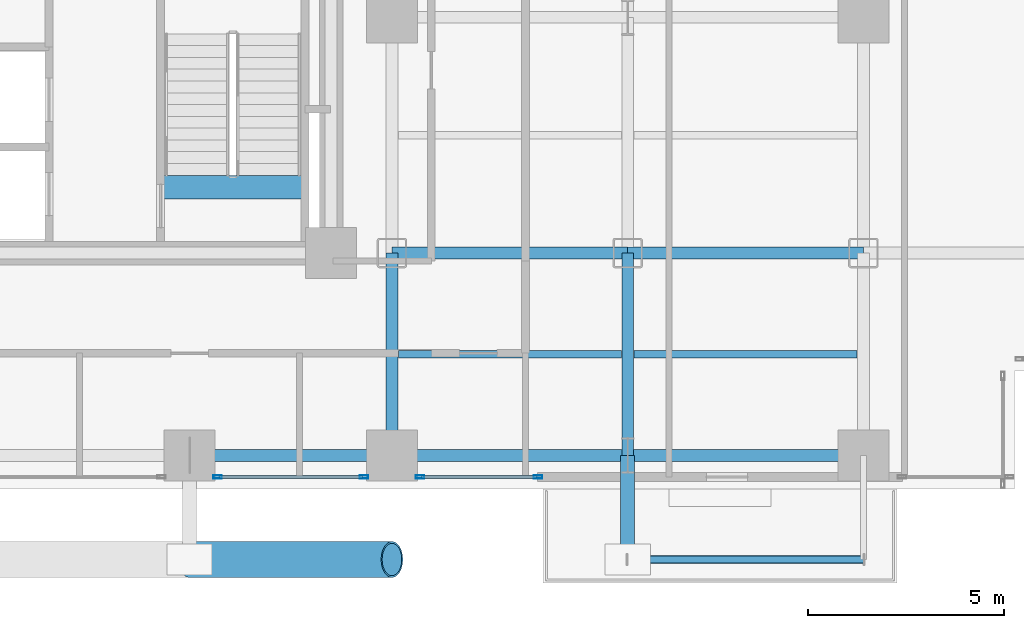
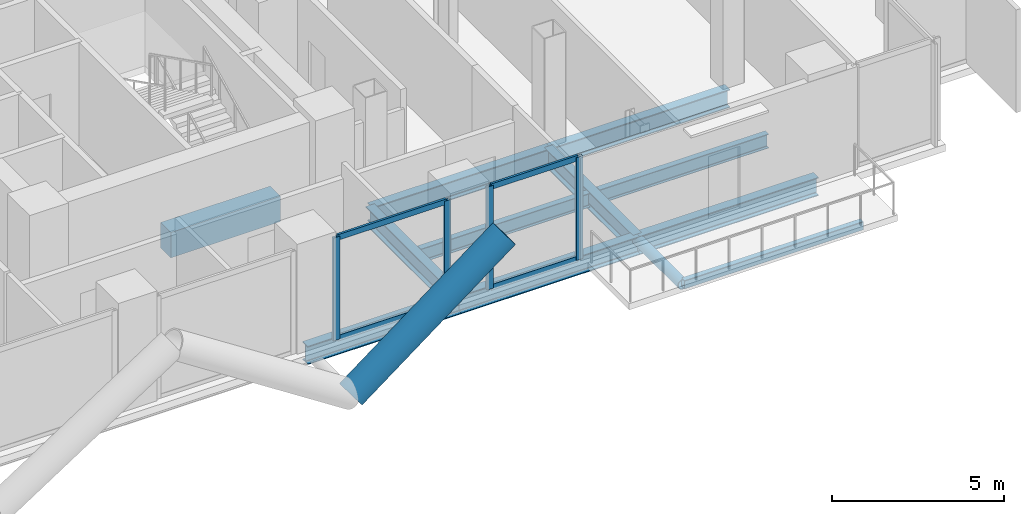
# One storey, part 8 of 27: 11 beams, 10 members, 2 elements without a shape of their own.
"""IFC4 building model written with IfcOpenShell, lengths in metres."""

from ifc_helpers import new_model, si_unit, direction, frame, origin, origin_2d, place, context, subcontext, project, spatial, rectangle, hollow_rectangle, hollow_circle, i_section, extrude, material, layer, layer_set, material_profile, profile_set, type_object, element, aggregate, save


model = new_model("IFC4")

# Units and contexts
model_context = context("Model", 3, precision=1e-05, world=origin(), true_north=direction((0.0, 1.0)))
body_context = subcontext(model_context, "Body", "Model", "MODEL_VIEW")
ifc_project = project(units=[si_unit("LENGTHUNIT", "METRE"), si_unit("AREAUNIT", "SQUARE_METRE"), si_unit("VOLUMEUNIT", "CUBIC_METRE"), si_unit("PLANEANGLEUNIT", "RADIAN"), si_unit("MASSUNIT", "GRAM", prefix="KILO"), si_unit("THERMODYNAMICTEMPERATUREUNIT", "KELVIN"), si_unit("POWERUNIT", "WATT")], contexts=[model_context])

# Site, building, storey
site_placement = place(None, origin())
site = spatial("IfcSite", under=ifc_project, at=site_placement, CompositionType="ELEMENT")
building_placement = place(site_placement, origin())
building = spatial("IfcBuilding", under=site, at=building_placement, Name="Svarakhadi Broadcast Tower", CompositionType="ELEMENT")
storey_placement = place(building_placement, frame((0.0, 0.0, 55.800048828125)))
storey = spatial("IfcBuildingStorey", under=building, at=storey_placement, Name="L12", CompositionType="ELEMENT", Elevation=55.800048828125)

# Beams
ifc_material_1 = material(Name="Steel S355J2 (IS 2062 E350C)", Category="steel")
ifc_material_profile_1 = material_profile(ifc_material_1, i_section(OverallWidth=0.199951171875, OverallDepth=0.5, WebThickness=0.01025390625, FlangeThickness=0.01611328125, FilletRadius=0.02099609375, at=origin_2d()), Name="NPB 500x200x91")
ifc_profile_set_1 = profile_set([ifc_material_profile_1], Name="Steel S355J2 (IS 2062 E350C)")
beam_type_1 = type_object("IfcBeamType", Name="Beam_NPB500", PredefinedType="BEAM", material=ifc_profile_set_1)
for number, where, z_axis, x_axis, name in (
    (1, (35.31005859375, 3.425048828125, -0.5), (1.0, 0.0, 0.0), (0.0, 1.0, 0.0), "L12 Secondary Composite Beam SB022"),
    (2, (41.31005859375, 3.425048828125, -0.5), (1.0, 0.0, 0.0), (0.0, 1.0, 0.0), "L12 Secondary Composite Beam SB025"),
):
    element("IfcBeam", number, at=place(storey_placement, frame(where, z_axis=z_axis, x_axis=x_axis)), inside=storey, type_object=beam_type_1, Name=name, PredefinedType="BEAM", context=body_context, shape_type="SweptSolid", body=[
        extrude(i_section(OverallWidth=0.199951171875, OverallDepth=0.5, WebThickness=0.01025390625, FlangeThickness=0.01611328125, FilletRadius=0.02099609375, at=origin_2d()), origin(), (0.0, 0.0, 1.0), 5.679931640625),
    ])

# Curtain wall, members
ifc_material_2 = material(Name="Anodised Bronze Aluminium AA 6063-T6", Category="aluminium")
ifc_layer = layer(ifc_material_2, 0.219970703125)
ifc_layer_set = layer_set([ifc_layer], Name="Anodised Bronze Aluminium AA 6063-T6")
curtain_wall_type = type_object("IfcCurtainWallType", Name="CW_Sys_02", PredefinedType="NOTDEFINED", material=ifc_layer_set)
curtain_wall_1_placement = place(storey_placement, origin())
curtain_wall_1 = element("IfcCurtainWall", 3, at=curtain_wall_1_placement, inside=storey, type_object=curtain_wall_type, Name="L12 South Curtain Wall 17 Bay 1", PredefinedType="NOTDEFINED")
ifc_material_profile_2 = material_profile(ifc_material_2, hollow_rectangle(XDim=0.0849609375, YDim=0.219970703125, WallThickness=0.006103515625, at=origin_2d()), Name="ALU MULLION 220x85x6")
ifc_profile_set_2 = profile_set([ifc_material_profile_2], Name="Anodised Bronze Aluminium AA 6063-T6")
member_type_1 = type_object("IfcMemberType", Name="CW_Sys_02_Mul", PredefinedType="MULLION", material=ifc_profile_set_2)
member_1_placement = place(storey_placement, frame((38.867431640625, 0.300048828125, 0.0), z_axis=(0.0, 0.0, 1.0), x_axis=(0.0, -1.0, 0.0)))
member_1 = element("IfcMember", 4, at=member_1_placement, type_object=member_type_1, Name="CW-02 mullion 1", PredefinedType="MULLION", context=body_context, shape_type="SweptSolid", body=[
    extrude(hollow_rectangle(XDim=0.0849609375, YDim=0.219970703125, WallThickness=0.006103515625, at=origin_2d()), origin(), (0.0, 0.0, 1.0), 3.64990234375),
])
member_2_placement = place(storey_placement, frame((35.862548828125, 0.300048828125, 0.0), z_axis=(0.0, 0.0, 1.0), x_axis=(0.0, -1.0, 0.0)))
member_2 = element("IfcMember", 5, at=member_2_placement, type_object=member_type_1, Name="CW-02 mullion 2", PredefinedType="MULLION", context=body_context, shape_type="SweptSolid", body=[
    extrude(hollow_rectangle(XDim=0.0849609375, YDim=0.219970703125, WallThickness=0.006103515625, at=origin_2d()), origin(), (0.0, 0.0, 1.0), 3.64990234375),
])

curtain_wall_2_placement = place(storey_placement, origin())
curtain_wall_2 = element("IfcCurtainWall", 6, at=curtain_wall_2_placement, inside=storey, type_object=curtain_wall_type, Name="L12 South Curtain Wall 17 Bay 2", PredefinedType="NOTDEFINED")
member_3_placement = place(storey_placement, frame((34.4375, 0.300048828125, 0.0), z_axis=(0.0, 0.0, 1.0), x_axis=(0.0, -1.0, 0.0)))
member_3 = element("IfcMember", 7, at=member_3_placement, type_object=member_type_1, Name="CW-02 mullion 1", PredefinedType="MULLION", context=body_context, shape_type="SweptSolid", body=[
    extrude(hollow_rectangle(XDim=0.0849609375, YDim=0.219970703125, WallThickness=0.006103515625, at=origin_2d()), origin(), (0.0, 0.0, 1.0), 3.64990234375),
])
member_4_placement = place(storey_placement, frame((30.71240234375, 0.300048828125, 0.0), z_axis=(0.0, 0.0, 1.0), x_axis=(0.0, -1.0, 0.0)))
member_4 = element("IfcMember", 8, at=member_4_placement, type_object=member_type_1, Name="CW-02 mullion 2", PredefinedType="MULLION", context=body_context, shape_type="SweptSolid", body=[
    extrude(hollow_rectangle(XDim=0.0849609375, YDim=0.219970703125, WallThickness=0.006103515625, at=origin_2d()), origin(), (0.0, 0.0, 1.0), 3.64990234375),
])

# Member
ifc_material_profile_3 = material_profile(ifc_material_2, hollow_rectangle(XDim=0.074951171875, YDim=0.199951171875, WallThickness=0.0048828125, at=origin_2d()), Name="ALU TRANSOM 200x75x5")
ifc_profile_set_3 = profile_set([ifc_material_profile_3], Name="Anodised Bronze Aluminium AA 6063-T6")
member_type_2 = type_object("IfcMemberType", Name="CW_Sys_02_Trn", PredefinedType="USERDEFINED", material=ifc_profile_set_3)
member_5_placement = place(storey_placement, frame((38.824951171875, 0.300048828125, 0.037353515625), z_axis=(-1.0, 0.0, 0.0), x_axis=(0.0, -1.0, 0.0)))
member_5 = element("IfcMember", 9, at=member_5_placement, type_object=member_type_2, Name="CW-02 transom 1.1", ObjectType="TRANSOM", PredefinedType="USERDEFINED", context=body_context, shape_type="SweptSolid", body=[
    extrude(hollow_rectangle(XDim=0.074951171875, YDim=0.199951171875, WallThickness=0.0048828125, at=origin_2d()), origin(), (0.0, 0.0, 1.0), 2.919921875),
])

member_6_placement = place(storey_placement, frame((38.824951171875, 0.300048828125, 3.612548828125), z_axis=(-1.0, 0.0, 0.0), x_axis=(0.0, -1.0, 0.0)))
member_6 = element("IfcMember", 10, at=member_6_placement, type_object=member_type_2, Name="CW-02 transom 1.2", ObjectType="TRANSOM", PredefinedType="USERDEFINED", context=body_context, shape_type="SweptSolid", body=[
    extrude(hollow_rectangle(XDim=0.074951171875, YDim=0.199951171875, WallThickness=0.0048828125, at=origin_2d()), origin(), (0.0, 0.0, 1.0), 2.919921875),
])

aggregate(curtain_wall_1, [member_1, member_2, member_5, member_6])

member_7_placement = place(storey_placement, frame((34.39501953125, 0.300048828125, 0.037353515625), z_axis=(-1.0, 0.0, 0.0), x_axis=(0.0, -1.0, 0.0)))
member_7 = element("IfcMember", 11, at=member_7_placement, type_object=member_type_2, Name="CW-02 transom 1.1", ObjectType="TRANSOM", PredefinedType="USERDEFINED", context=body_context, shape_type="SweptSolid", body=[
    extrude(hollow_rectangle(XDim=0.074951171875, YDim=0.199951171875, WallThickness=0.0048828125, at=origin_2d()), origin(), (0.0, 0.0, 1.0), 3.64013671875),
])

member_8_placement = place(storey_placement, frame((34.39501953125, 0.300048828125, 3.612548828125), z_axis=(-1.0, 0.0, 0.0), x_axis=(0.0, -1.0, 0.0)))
member_8 = element("IfcMember", 12, at=member_8_placement, type_object=member_type_2, Name="CW-02 transom 1.2", ObjectType="TRANSOM", PredefinedType="USERDEFINED", context=body_context, shape_type="SweptSolid", body=[
    extrude(hollow_rectangle(XDim=0.074951171875, YDim=0.199951171875, WallThickness=0.0048828125, at=origin_2d()), origin(), (0.0, 0.0, 1.0), 3.64013671875),
])

aggregate(curtain_wall_2, [member_3, member_4, member_7, member_8])

# Beam
ifc_material_3 = material(Name="Concrete C50/60 (IS 456 M60)", Category="concrete")
ifc_material_profile_4 = material_profile(ifc_material_3, rectangle(XDim=0.60009765625, YDim=0.89990234375, at=origin_2d()), Name="RC 600x900")
ifc_profile_set_4 = profile_set([ifc_material_profile_4], Name="Concrete C50/60 (IS 456 M60)")
beam_type_2 = type_object("IfcBeamType", Name="Coupling_RC600", PredefinedType="USERDEFINED", material=ifc_profile_set_4)
beam_1_placement = place(storey_placement, frame((29.260009765625, 7.679931640625, -0.449951171875), z_axis=(1.0, 0.0, 0.0), x_axis=(0.0, 1.0, 0.0)))
element("IfcBeam", 13, at=beam_1_placement, inside=storey, type_object=beam_type_2, Name="L12 Stair ST-02 Landing Throat Trimmer Beam CB-01", ObjectType="GIRDER", PredefinedType="USERDEFINED", context=body_context, shape_type="SweptSolid", body=[
    extrude(rectangle(XDim=0.60009765625, YDim=0.89990234375, at=origin_2d()), origin(), (0.0, 0.0, 1.0), 3.679931640625),
])

# Members
ifc_material_4 = material(Name="Steel S460ML (IS 2062 E450BR)", Category="steel")
ifc_material_profile_5 = material_profile(ifc_material_4, hollow_circle(Radius=0.45703125, WallThickness=0.044921875, at=origin_2d()), Name="CHS 914x45")
ifc_profile_set_5 = profile_set([ifc_material_profile_5], Name="Steel S460ML (IS 2062 E450BR)")
member_type_3 = type_object("IfcMemberType", Name="Exo_Brace_CHS914", PredefinedType="BRACE", material=ifc_profile_set_5)
member_9_placement = place(storey_placement, frame((30.0, -1.800048828125, -0.427734375), z_axis=(0.797206791841, 0.0, 0.603706328476), x_axis=(0.0, 1.0, 0.0)))
element("IfcMember", 14, at=member_9_placement, inside=storey, type_object=member_type_3, Name="L12 Exposed Bronze Exoskeleton Diagonal S05", PredefinedType="BRACE", context=body_context, shape_type="SweptSolid", body=[
    extrude(hollow_circle(Radius=0.45703125, WallThickness=0.044921875, at=origin_2d()), origin(), (0.0, 0.0, 1.0), 6.4599609375),
])
ifc_material_profile_6 = material_profile(ifc_material_4, hollow_circle(Radius=0.177734375, WallThickness=0.02001953125, at=origin_2d()), Name="CHS 355.6x20")
ifc_profile_set_6 = profile_set([ifc_material_profile_6], Name="Steel S460ML (IS 2062 E450BR)")
member_type_4 = type_object("IfcMemberType", Name="Exo_Radial_Strut_Z1", PredefinedType="STRUT", material=ifc_profile_set_6)
member_10_placement = place(storey_placement, frame((41.14990234375, -1.800048828125, -0.427734375), z_axis=(0.0, 1.0, 0.0), x_axis=(-1.0, 0.0, 0.0)))
element("IfcMember", 15, at=member_10_placement, inside=storey, type_object=member_type_4, Name="L12 Exoskeleton Radial Tie Strut S04", PredefinedType="STRUT", context=body_context, shape_type="SweptSolid", body=[
    extrude(hollow_circle(Radius=0.177734375, WallThickness=0.02001953125, at=origin_2d()), origin(), (0.0, 0.0, 1.0), 2.650146484375),
])

# Beams
ifc_material_profile_7 = material_profile(ifc_material_1, i_section(OverallWidth=0.300048828125, OverallDepth=0.64990234375, WebThickness=0.01611328125, FlangeThickness=0.031005859375, FilletRadius=0.027099609375, at=origin_2d()), Name="WPB 650x300x225")
ifc_profile_set_7 = profile_set([ifc_material_profile_7], Name="Steel S355J2 (IS 2062 E350C)")
beam_type_3 = type_object("IfcBeamType", Name="Girder_WPB650", PredefinedType="USERDEFINED", material=ifc_profile_set_7)
beam_2_placement = place(storey_placement, frame((30.0, 0.85009765625, -0.574951171875), z_axis=(1.0, 0.0, 0.0), x_axis=(0.0, 1.0, 0.0)))
element("IfcBeam", 16, at=beam_2_placement, inside=storey, type_object=beam_type_3, Name="L12 Primary E-W Girder G008", ObjectType="GIRDER", PredefinedType="USERDEFINED", context=body_context, shape_type="SweptSolid", body=[
    extrude(i_section(OverallWidth=0.300048828125, OverallDepth=0.64990234375, WebThickness=0.01611328125, FlangeThickness=0.031005859375, FilletRadius=0.027099609375, at=origin_2d()), origin(), (0.0, 0.0, 1.0), 5.14990234375),
])
for number, where, z_axis, x_axis, name in (
    (17, (35.14990234375, 0.85009765625, -0.574951171875), (1.0, 0.0, 0.0), (0.0, 1.0, 0.0), "L12 Primary E-W Girder G009"),
    (18, (41.14990234375, 0.85009765625, -0.574951171875), (1.0, 0.0, 0.0), (0.0, 1.0, 0.0), "L12 Primary E-W Girder G010"),
    (19, (35.14990234375, 6.0, -0.574951171875), (1.0, 0.0, 0.0), (0.0, 1.0, 0.0), "L12 Primary E-W Girder G016"),
    (20, (41.14990234375, 6.0, -0.574951171875), (1.0, 0.0, 0.0), (0.0, 1.0, 0.0), "L12 Primary E-W Girder G017"),
):
    element("IfcBeam", number, at=place(storey_placement, frame(where, z_axis=z_axis, x_axis=x_axis)), inside=storey, type_object=beam_type_3, Name=name, ObjectType="GIRDER", PredefinedType="USERDEFINED", context=body_context, shape_type="SweptSolid", body=[
        extrude(i_section(OverallWidth=0.300048828125, OverallDepth=0.64990234375, WebThickness=0.01611328125, FlangeThickness=0.031005859375, FilletRadius=0.027099609375, at=origin_2d()), origin(), (0.0, 0.0, 1.0), 6.0),
    ])
for number, where, z_axis, x_axis, name in (
    (21, (35.14990234375, 0.85009765625, -0.574951171875), (0.0, 1.0, 0.0), (-1.0, 0.0, 0.0), "L12 Primary N-S Girder G076"),
    (22, (41.14990234375, 0.85009765625, -0.574951171875), (0.0, 1.0, 0.0), (-1.0, 0.0, 0.0), "L12 Primary N-S Girder G079"),
):
    element("IfcBeam", number, at=place(storey_placement, frame(where, z_axis=z_axis, x_axis=x_axis)), inside=storey, type_object=beam_type_3, Name=name, ObjectType="GIRDER", PredefinedType="USERDEFINED", context=body_context, shape_type="SweptSolid", body=[
        extrude(i_section(OverallWidth=0.300048828125, OverallDepth=0.64990234375, WebThickness=0.01611328125, FlangeThickness=0.031005859375, FilletRadius=0.027099609375, at=origin_2d()), origin(), (0.0, 0.0, 1.0), 5.14990234375),
    ])
ifc_material_profile_8 = material_profile(ifc_material_4, hollow_rectangle(XDim=0.199951171875, YDim=0.300048828125, WallThickness=0.012451171875, InnerFilletRadius=0.012451171875, OuterFilletRadius=0.02490234375, at=origin_2d()), Name="RHS 300x200x12.5")
ifc_profile_set_8 = profile_set([ifc_material_profile_8], Name="Steel S460ML (IS 2062 E450BR)")
beam_type_4 = type_object("IfcBeamType", Name="Spandrel_RHS300", PredefinedType="SPANDREL", material=ifc_profile_set_8)
beam_3_placement = place(storey_placement, frame((41.14990234375, -1.800048828125, -0.400146484375), z_axis=(1.0, 0.0, 0.0), x_axis=(0.0, 1.0, 0.0)))
element("IfcBeam", 23, at=beam_3_placement, inside=storey, type_object=beam_type_4, Name="L12 Balcony Outer Spandrel 1F", PredefinedType="SPANDREL", context=body_context, shape_type="SweptSolid", body=[
    extrude(hollow_rectangle(XDim=0.199951171875, YDim=0.300048828125, WallThickness=0.012451171875, InnerFilletRadius=0.012451171875, OuterFilletRadius=0.02490234375, at=origin_2d()), origin(), (0.0, 0.0, 1.0), 6.0),
])

save(model, "model.ifc")
